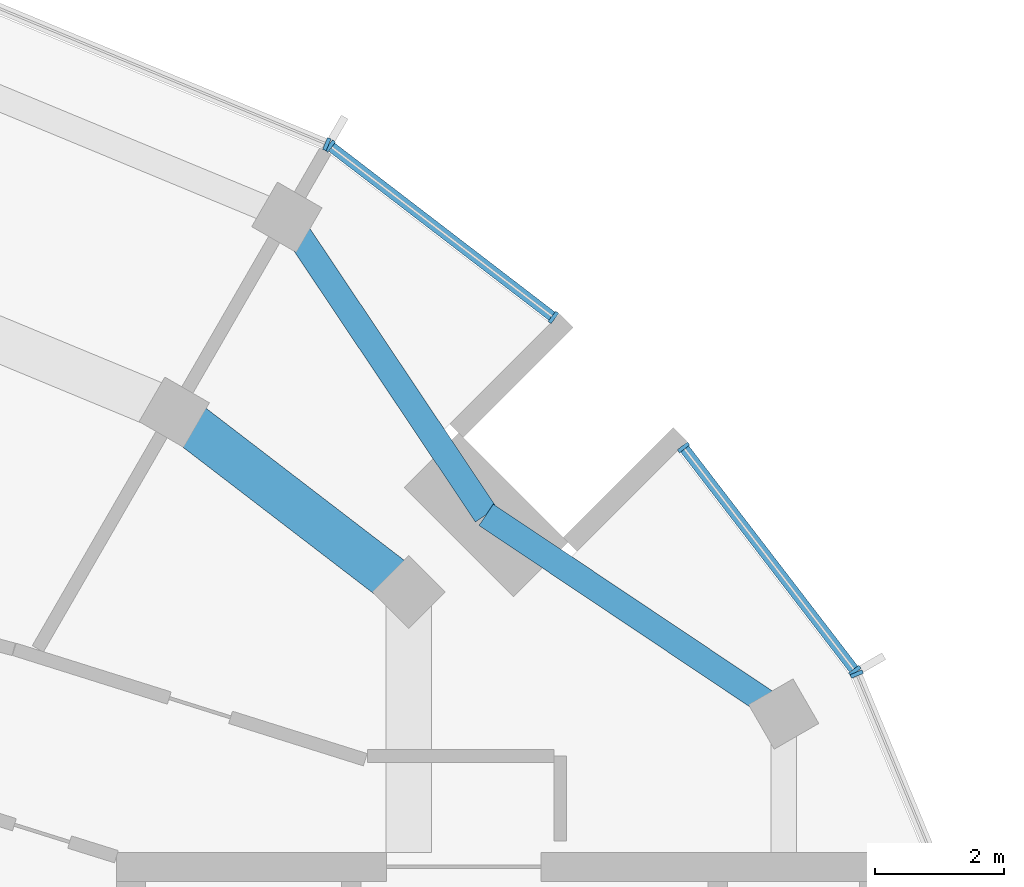
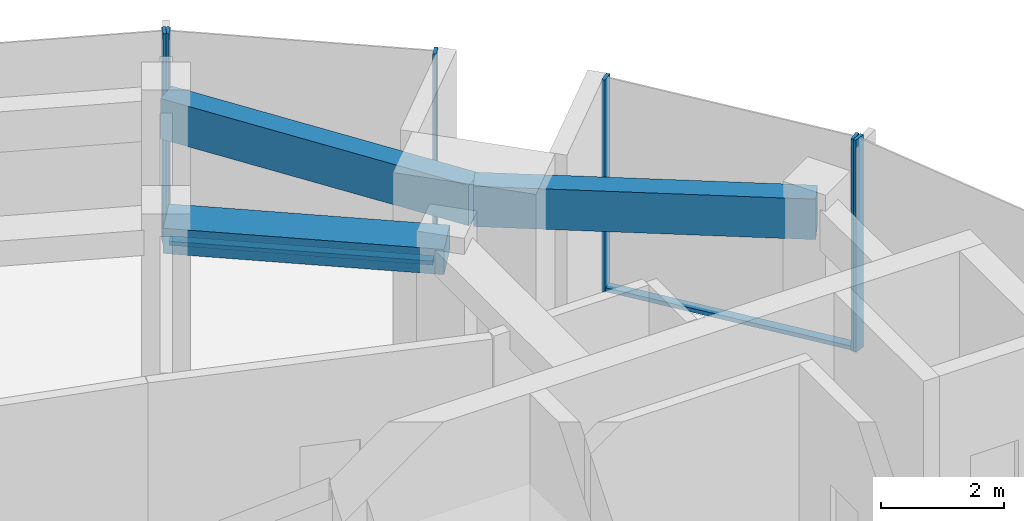
# One storey, part 6 of 13: 8 members, 3 beams, 4 elements without a shape of their own.
"""IFC4 building model written with IfcOpenShell, lengths in metres."""

from ifc_helpers import new_model, si_unit, direction, frame, origin, origin_2d, place, context, subcontext, project, spatial, rectangle, extrude, material, layer, layer_set, material_profile, profile_set, type_object, element, aggregate, save


model = new_model("IFC4")

# Units and contexts
model_context = context("Model", 3, precision=1e-05, world=origin(), true_north=direction((0.0, 1.0)))
body_context = subcontext(model_context, "Body", "Model", "MODEL_VIEW")
ifc_project = project(units=[si_unit("LENGTHUNIT", "METRE"), si_unit("AREAUNIT", "SQUARE_METRE"), si_unit("VOLUMEUNIT", "CUBIC_METRE"), si_unit("PLANEANGLEUNIT", "RADIAN"), si_unit("MASSUNIT", "GRAM", prefix="KILO")], contexts=[model_context])

# Site, building, storey
site_placement = place(None, origin())
site = spatial("IfcSite", under=ifc_project, at=site_placement, CompositionType="ELEMENT")
building_placement = place(site_placement, origin())
building = spatial("IfcBuilding", under=site, at=building_placement, Name="Torre Brocal", CompositionType="ELEMENT")
storey_placement = place(building_placement, frame((0.0, 0.0, 296.699951171875)))
storey = spatial("IfcBuildingStorey", under=building, at=storey_placement, Name="L68", CompositionType="ELEMENT", Elevation=296.699951171875)

# Curtain wall, member
ifc_material_1 = material(Name="Aluminium and glass", Category="aluminium")
ifc_layer = layer(ifc_material_1, 0.199951171875)
ifc_layer_set = layer_set([ifc_layer], Name="Aluminium and glass")
curtain_wall_type = type_object("IfcCurtainWallType", Name="CW-1 CURTAIN WALL 4200 HIGH", PredefinedType="NOTDEFINED", material=ifc_layer_set)
curtain_wall_1_placement = place(storey_placement, origin())
curtain_wall_1 = element("IfcCurtainWall", 1, at=curtain_wall_1_placement, inside=storey, type_object=curtain_wall_type, Name="CW-1 RUN 2", PredefinedType="NOTDEFINED")
ifc_material_2 = material(Name="Aluminium, dark anodised", Category="aluminium")
ifc_material_profile_1 = material_profile(ifc_material_2, rectangle(XDim=0.199951171875, YDim=0.06005859375, at=origin_2d()), Name="CW-1 MULLION 60X200")
ifc_profile_set_1 = profile_set([ifc_material_profile_1], Name="Aluminium, dark anodised")
member_type_1 = type_object("IfcMemberType", Name="CW-1 MULLION 60X200", PredefinedType="MULLION", material=ifc_profile_set_1)
member_1_placement = place(storey_placement, frame((99.40966796875, 86.171875, 0.0), z_axis=(0.0, 0.0, 1.0), x_axis=(-0.923879532545, -0.382683432284, 0.0)))
member_1 = element("IfcMember", 2, at=member_1_placement, type_object=member_type_1, Name="CW1-5 mullion 2", PredefinedType="MULLION", context=body_context, shape_type="SweptSolid", body=[
    extrude(rectangle(XDim=0.199951171875, YDim=0.06005859375, at=origin_2d()), origin(), (0.0, 0.0, 1.0), 4.199951171875),
])
aggregate(curtain_wall_1, [member_1])

# Curtain wall, members
curtain_wall_2_placement = place(storey_placement, origin())
curtain_wall_2 = element("IfcCurtainWall", 3, at=curtain_wall_2_placement, inside=storey, type_object=curtain_wall_type, Name="CW-1 RUN 3", PredefinedType="NOTDEFINED")
member_2_placement = place(storey_placement, frame((99.3798828125, 86.223388671875, 0.0), z_axis=(0.0, 0.0, 1.0), x_axis=(-0.793353340249, -0.608761429064, 0.0)))
member_2 = element("IfcMember", 4, at=member_2_placement, type_object=member_type_1, Name="CW1-5 mullion 1", PredefinedType="MULLION", context=body_context, shape_type="SweptSolid", body=[
    extrude(rectangle(XDim=0.199951171875, YDim=0.06005859375, at=origin_2d()), origin(), (0.0, 0.0, 1.0), 4.199951171875),
])
member_3_placement = place(storey_placement, frame((96.716552734375, 89.694580078125, 0.0), z_axis=(0.0, 0.0, 1.0), x_axis=(-0.793353340249, -0.608761429064, 0.0)))
member_3 = element("IfcMember", 5, at=member_3_placement, type_object=member_type_1, Name="CW1-5 mullion 2", PredefinedType="MULLION", context=body_context, shape_type="SweptSolid", body=[
    extrude(rectangle(XDim=0.199951171875, YDim=0.06005859375, at=origin_2d()), origin(), (0.0, 0.0, 1.0), 4.199951171875),
])

curtain_wall_3_placement = place(storey_placement, origin())
curtain_wall_3 = element("IfcCurtainWall", 6, at=curtain_wall_3_placement, inside=storey, type_object=curtain_wall_type, Name="CW-1 RUN 4", PredefinedType="NOTDEFINED")
member_4_placement = place(storey_placement, frame((94.694580078125, 91.716552734375, 0.0), z_axis=(0.0, 0.0, 1.0), x_axis=(-0.608761429064, -0.793353340249, 0.0)))
member_4 = element("IfcMember", 7, at=member_4_placement, type_object=member_type_1, Name="CW1-5 mullion 1", PredefinedType="MULLION", context=body_context, shape_type="SweptSolid", body=[
    extrude(rectangle(XDim=0.199951171875, YDim=0.06005859375, at=origin_2d()), origin(), (0.0, 0.0, 1.0), 4.199951171875),
])
member_5_placement = place(storey_placement, frame((91.223388671875, 94.3798828125, 0.0), z_axis=(0.0, 0.0, 1.0), x_axis=(-0.608761429064, -0.793353340249, 0.0)))
member_5 = element("IfcMember", 8, at=member_5_placement, type_object=member_type_1, Name="CW1-5 mullion 2", PredefinedType="MULLION", context=body_context, shape_type="SweptSolid", body=[
    extrude(rectangle(XDim=0.199951171875, YDim=0.06005859375, at=origin_2d()), origin(), (0.0, 0.0, 1.0), 4.199951171875),
])

# Curtain wall, member
curtain_wall_4_placement = place(storey_placement, origin())
curtain_wall_4 = element("IfcCurtainWall", 9, at=curtain_wall_4_placement, inside=storey, type_object=curtain_wall_type, Name="CW-1 RUN 5", PredefinedType="NOTDEFINED")
member_6_placement = place(storey_placement, frame((91.171875, 94.40966796875, 0.0), z_axis=(0.0, 0.0, 1.0), x_axis=(-0.382683432284, -0.923879532545, 0.0)))
member_6 = element("IfcMember", 10, at=member_6_placement, type_object=member_type_1, Name="CW1-5 mullion 1", PredefinedType="MULLION", context=body_context, shape_type="SweptSolid", body=[
    extrude(rectangle(XDim=0.199951171875, YDim=0.06005859375, at=origin_2d()), origin(), (0.0, 0.0, 1.0), 4.199951171875),
])
aggregate(curtain_wall_4, [member_6])

# Member
ifc_material_3 = material(Name="Aluminium, dark anodised", Category="aluminium")
ifc_material_profile_2 = material_profile(ifc_material_3, rectangle(XDim=0.159912109375, YDim=0.080078125, at=origin_2d()), Name="CW-1 TRANSOM 160X80")
ifc_profile_set_2 = profile_set([ifc_material_profile_2], Name="Aluminium, dark anodised")
member_type_2 = type_object("IfcMemberType", Name="CW-1 TRANSOM 160X80", PredefinedType="USERDEFINED", material=ifc_profile_set_2)
member_7_placement = place(storey_placement, frame((99.36181640625, 86.2470703125, 0.0400390625), z_axis=(-0.608788976677, 0.793332201462, 0.0), x_axis=(-0.793332201462, -0.608788976677, 0.0)))
member_7 = element("IfcMember", 11, at=member_7_placement, type_object=member_type_2, Name="CW1-5 transom 1.1", ObjectType="TRANSOM", PredefinedType="USERDEFINED", context=body_context, shape_type="SweptSolid", body=[
    extrude(rectangle(XDim=0.159912109375, YDim=0.080078125, at=origin_2d()), origin(), (0.0, 0.0, 1.0), 4.3154296875),
])

aggregate(curtain_wall_2, [member_2, member_3, member_7])

member_8_placement = place(storey_placement, frame((94.670654296875, 91.734619140625, 0.0400390625), z_axis=(-0.793332201462, 0.608788976677, 0.0), x_axis=(-0.608788976677, -0.793332201462, 0.0)))
member_8 = element("IfcMember", 12, at=member_8_placement, type_object=member_type_2, Name="CW1-5 transom 1.1", ObjectType="TRANSOM", PredefinedType="USERDEFINED", context=body_context, shape_type="SweptSolid", body=[
    extrude(rectangle(XDim=0.159912109375, YDim=0.080078125, at=origin_2d()), origin(), (0.0, 0.0, 1.0), 4.3154296875),
])

aggregate(curtain_wall_3, [member_4, member_5, member_8])

# Beams
ifc_material_4 = material(Name="Concrete C50", Category="concrete")
ifc_material_profile_3 = material_profile(ifc_material_4, rectangle(XDim=0.699951171875, YDim=0.5, at=origin_2d()), Name="RC 700X500")
ifc_profile_set_3 = profile_set([ifc_material_profile_3], Name="Concrete C50")
beam_type_1 = type_object("IfcBeamType", Name="RC BEAM 700X500 C50 TOP 3880", PredefinedType="BEAM", material=ifc_profile_set_3)
beam_placement = place(storey_placement, frame((92.445068359375, 87.445068359375, 3.630126953125), z_axis=(-0.793358265959, 0.6087550097, 0.0), x_axis=(-0.6087550097, -0.793358265959, 0.0)))
element("IfcBeam", 13, at=beam_placement, inside=storey, type_object=beam_type_1, Name="Beam BT-37", PredefinedType="BEAM", context=body_context, shape_type="SweptSolid", body=[
    extrude(rectangle(XDim=0.699951171875, YDim=0.5, at=origin_2d()), origin(), (0.0, 0.0, 1.0), 4.594482421875),
])
ifc_material_5 = material(Name="Concrete C50", Category="concrete")
ifc_material_profile_4 = material_profile(ifc_material_5, rectangle(XDim=0.39990234375, YDim=0.800048828125, at=origin_2d()), Name="RC 400X800")
ifc_profile_set_4 = profile_set([ifc_material_profile_4], Name="Concrete C50")
beam_type_2 = type_object("IfcBeamType", Name="RC SPANDREL BEAM 400X800 C50 TOP 3880", PredefinedType="SPANDREL", material=ifc_profile_set_4)
for number, where, z_axis, x_axis, name in (
    (14, (98.273193359375, 85.550048828125, 3.47998046875), (-0.830955689206, 0.556338604247, 0.0), (-0.556338604247, -0.830955689206, 0.0), "Beam BT-47"),
    (15, (93.647216796875, 88.647216796875, 3.47998046875), (-0.556338604247, 0.830955689206, 0.0), (-0.830955689206, -0.556338604247, 0.0), "Beam BT-47"),
):
    element("IfcBeam", number, at=place(storey_placement, frame(where, z_axis=z_axis, x_axis=x_axis)), inside=storey, type_object=beam_type_2, Name=name, PredefinedType="SPANDREL", context=body_context, shape_type="SweptSolid", body=[
        extrude(rectangle(XDim=0.39990234375, YDim=0.800048828125, at=origin_2d()), origin(), (0.0, 0.0, 1.0), 5.567138671875),
    ])

save(model, "model.ifc")
